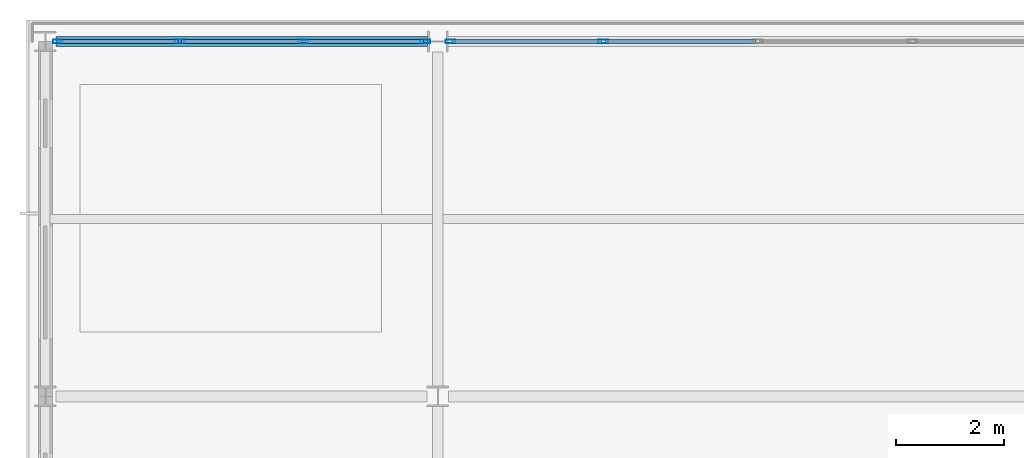
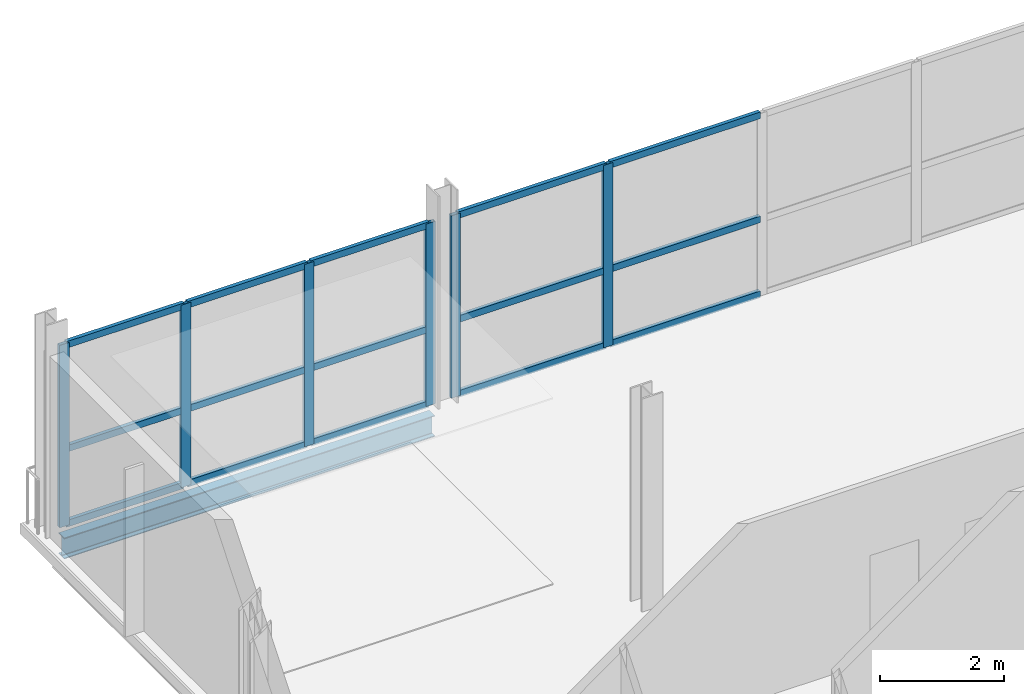
# One storey, part 24 of 65: 21 members, 1 beam, 2 elements without a shape of their own.
"""IFC4 building model written with IfcOpenShell, lengths in metres."""

from ifc_helpers import new_model, si_unit, direction, frame, origin, origin_2d, place, context, subcontext, project, spatial, hollow_rectangle, i_section, extrude, material, layer, layer_set, material_profile, profile_set, type_object, element, aggregate, save


model = new_model("IFC4")

# Units and contexts
model_context = context("Model", 3, precision=1e-05, world=origin(), true_north=direction((0.0, 1.0)))
body_context = subcontext(model_context, "Body", "Model", "MODEL_VIEW")
ifc_project = project(units=[si_unit("LENGTHUNIT", "METRE"), si_unit("AREAUNIT", "SQUARE_METRE"), si_unit("VOLUMEUNIT", "CUBIC_METRE"), si_unit("PLANEANGLEUNIT", "RADIAN"), si_unit("MASSUNIT", "GRAM", prefix="KILO")], contexts=[model_context])

# Site, building, storey
site_placement = place(None, origin())
site = spatial("IfcSite", under=ifc_project, at=site_placement, CompositionType="ELEMENT")
building_placement = place(site_placement, origin())
building = spatial("IfcBuilding", under=site, at=building_placement, Name="Quillay Park Conservatory", CompositionType="ELEMENT")
storey_placement = place(building_placement, frame((0.0, 0.0, 14.10009765625)))
storey = spatial("IfcBuildingStorey", under=building, at=storey_placement, Name="L03", CompositionType="ELEMENT", Elevation=14.10009765625)

# Curtain wall, members
ifc_material_1 = material(Name="Thermally Broken Anodised Aluminium 6063-T6", Category="aluminium")
ifc_layer = layer(ifc_material_1, 0.179931640625)
ifc_layer_set = layer_set([ifc_layer], Name="UNITISED CURTAIN WALL TOWER (Thermally Broken Anodised Aluminium 6063-T6)")
curtain_wall_type = type_object("IfcCurtainWallType", Name="UNITISED CURTAIN WALL TOWER", PredefinedType="USERDEFINED", material=ifc_layer_set)
curtain_wall_1_placement = place(storey_placement, origin())
curtain_wall_1 = element("IfcCurtainWall", 1, at=curtain_wall_1_placement, inside=storey, type_object=curtain_wall_type, Name="L03 Unitised Curtain Wall 035", ObjectType="UNITISED CURTAIN WALL", PredefinedType="USERDEFINED")
ifc_material_2 = material(Name="Thermally Broken Anodised Aluminium 6063-T6", Category="aluminium")
ifc_material_profile_1 = material_profile(ifc_material_2, hollow_rectangle(XDim=0.070068359375, YDim=0.179931640625, WallThickness=0.00390625, at=origin_2d()), Name="AL70x180x4")
ifc_profile_set_1 = profile_set([ifc_material_profile_1], Name="Thermally Broken Anodised Aluminium 6063-T6")
member_type_1 = type_object("IfcMemberType", Name="CURTAIN WALL MULLION 70 X180", PredefinedType="MULLION", material=ifc_profile_set_1)
member_1_placement = place(storey_placement, frame((0.784912109375, 113.39990234375, 0.0), z_axis=(0.0, 0.0, 1.0), x_axis=(0.0, 1.0, 0.0)))
member_1 = element("IfcMember", 2, at=member_1_placement, type_object=member_type_1, Name="CW-T1 mullion 1", PredefinedType="MULLION", context=body_context, shape_type="SweptSolid", body=[
    extrude(hollow_rectangle(XDim=0.070068359375, YDim=0.179931640625, WallThickness=0.00390625, at=origin_2d()), origin(), (0.0, 0.0, 1.0), 3.598876953125),
])
member_2_placement = place(storey_placement, frame((3.050048828125, 113.39990234375, 0.0), z_axis=(0.0, 0.0, 1.0), x_axis=(0.0, 1.0, 0.0)))
member_2 = element("IfcMember", 3, at=member_2_placement, type_object=member_type_1, Name="CW-T1 mullion 2", PredefinedType="MULLION", context=body_context, shape_type="SweptSolid", body=[
    extrude(hollow_rectangle(XDim=0.070068359375, YDim=0.179931640625, WallThickness=0.00390625, at=origin_2d()), origin(), (0.0, 0.0, 1.0), 3.598876953125),
])
member_3_placement = place(storey_placement, frame((5.35009765625, 113.39990234375, 0.0), z_axis=(0.0, 0.0, 1.0), x_axis=(0.0, 1.0, 0.0)))
member_3 = element("IfcMember", 4, at=member_3_placement, type_object=member_type_1, Name="CW-T1 mullion 3", PredefinedType="MULLION", context=body_context, shape_type="SweptSolid", body=[
    extrude(hollow_rectangle(XDim=0.070068359375, YDim=0.179931640625, WallThickness=0.00390625, at=origin_2d()), origin(), (0.0, 0.0, 1.0), 3.598876953125),
])
member_4_placement = place(storey_placement, frame((7.614990234375, 113.39990234375, 0.0), z_axis=(0.0, 0.0, 1.0), x_axis=(0.0, 1.0, 0.0)))
member_4 = element("IfcMember", 5, at=member_4_placement, type_object=member_type_1, Name="CW-T1 mullion 4", PredefinedType="MULLION", context=body_context, shape_type="SweptSolid", body=[
    extrude(hollow_rectangle(XDim=0.070068359375, YDim=0.179931640625, WallThickness=0.00390625, at=origin_2d()), origin(), (0.0, 0.0, 1.0), 3.598876953125),
])

curtain_wall_2_placement = place(storey_placement, origin())
curtain_wall_2 = element("IfcCurtainWall", 6, at=curtain_wall_2_placement, inside=storey, type_object=curtain_wall_type, Name="L03 Unitised Curtain Wall 036", ObjectType="UNITISED CURTAIN WALL", PredefinedType="USERDEFINED")
member_5_placement = place(storey_placement, frame((8.0849609375, 113.39990234375, 0.0), z_axis=(0.0, 0.0, 1.0), x_axis=(0.0, 1.0, 0.0)))
member_5 = element("IfcMember", 7, at=member_5_placement, type_object=member_type_1, Name="CW-T1 mullion 1", PredefinedType="MULLION", context=body_context, shape_type="SweptSolid", body=[
    extrude(hollow_rectangle(XDim=0.070068359375, YDim=0.179931640625, WallThickness=0.00390625, at=origin_2d()), origin(), (0.0, 0.0, 1.0), 3.598876953125),
])
member_6_placement = place(storey_placement, frame((10.925048828125, 113.39990234375, 0.0), z_axis=(0.0, 0.0, 1.0), x_axis=(0.0, 1.0, 0.0)))
member_6 = element("IfcMember", 8, at=member_6_placement, type_object=member_type_1, Name="CW-T1 mullion 2", PredefinedType="MULLION", context=body_context, shape_type="SweptSolid", body=[
    extrude(hollow_rectangle(XDim=0.070068359375, YDim=0.179931640625, WallThickness=0.00390625, at=origin_2d()), origin(), (0.0, 0.0, 1.0), 3.598876953125),
])

# Member
ifc_material_3 = material(Name="Thermally Broken Anodised Aluminium 6063-T6", Category="aluminium")
ifc_material_profile_2 = material_profile(ifc_material_3, hollow_rectangle(XDim=0.070068359375, YDim=0.1298828125, WallThickness=0.003173828125, at=origin_2d()), Name="AL70x130x3.2")
ifc_profile_set_2 = profile_set([ifc_material_profile_2], Name="Thermally Broken Anodised Aluminium 6063-T6")
member_type_2 = type_object("IfcMemberType", Name="CURTAIN WALL TRANSOM 70 X130", PredefinedType="USERDEFINED", material=ifc_profile_set_2)
member_7_placement = place(storey_placement, frame((0.820068359375, 113.39990234375, 0.034912109375), z_axis=(1.0, 0.0, 0.0), x_axis=(0.0, 1.0, 0.0)))
member_7 = element("IfcMember", 9, at=member_7_placement, type_object=member_type_2, Name="CW-T1 transom 1.1", ObjectType="TRANSOM", PredefinedType="USERDEFINED", context=body_context, shape_type="SweptSolid", body=[
    extrude(hollow_rectangle(XDim=0.070068359375, YDim=0.1298828125, WallThickness=0.003173828125, at=origin_2d()), origin(), (0.0, 0.0, 1.0), 2.19482421875),
])

member_8_placement = place(storey_placement, frame((0.820068359375, 113.39990234375, 1.511474609375), z_axis=(1.0, 0.0, 0.0), x_axis=(0.0, 1.0, 0.0)))
member_8 = element("IfcMember", 10, at=member_8_placement, type_object=member_type_2, Name="CW-T1 transom 1.2", ObjectType="TRANSOM", PredefinedType="USERDEFINED", context=body_context, shape_type="SweptSolid", body=[
    extrude(hollow_rectangle(XDim=0.070068359375, YDim=0.1298828125, WallThickness=0.003173828125, at=origin_2d()), origin(), (0.0, 0.0, 1.0), 2.19482421875),
])

member_9_placement = place(storey_placement, frame((0.820068359375, 113.39990234375, 3.56396484375), z_axis=(1.0, 0.0, 0.0), x_axis=(0.0, 1.0, 0.0)))
member_9 = element("IfcMember", 11, at=member_9_placement, type_object=member_type_2, Name="CW-T1 transom 1.3", ObjectType="TRANSOM", PredefinedType="USERDEFINED", context=body_context, shape_type="SweptSolid", body=[
    extrude(hollow_rectangle(XDim=0.070068359375, YDim=0.1298828125, WallThickness=0.003173828125, at=origin_2d()), origin(), (0.0, 0.0, 1.0), 2.19482421875),
])

member_10_placement = place(storey_placement, frame((3.0849609375, 113.39990234375, 0.034912109375), z_axis=(1.0, 0.0, 0.0), x_axis=(0.0, 1.0, 0.0)))
member_10 = element("IfcMember", 12, at=member_10_placement, type_object=member_type_2, Name="CW-T1 transom 2.1", ObjectType="TRANSOM", PredefinedType="USERDEFINED", context=body_context, shape_type="SweptSolid", body=[
    extrude(hollow_rectangle(XDim=0.070068359375, YDim=0.1298828125, WallThickness=0.003173828125, at=origin_2d()), origin(), (0.0, 0.0, 1.0), 2.22998046875),
])

member_11_placement = place(storey_placement, frame((3.0849609375, 113.39990234375, 1.511474609375), z_axis=(1.0, 0.0, 0.0), x_axis=(0.0, 1.0, 0.0)))
member_11 = element("IfcMember", 13, at=member_11_placement, type_object=member_type_2, Name="CW-T1 transom 2.2", ObjectType="TRANSOM", PredefinedType="USERDEFINED", context=body_context, shape_type="SweptSolid", body=[
    extrude(hollow_rectangle(XDim=0.070068359375, YDim=0.1298828125, WallThickness=0.003173828125, at=origin_2d()), origin(), (0.0, 0.0, 1.0), 2.22998046875),
])

member_12_placement = place(storey_placement, frame((3.0849609375, 113.39990234375, 3.56396484375), z_axis=(1.0, 0.0, 0.0), x_axis=(0.0, 1.0, 0.0)))
member_12 = element("IfcMember", 14, at=member_12_placement, type_object=member_type_2, Name="CW-T1 transom 2.3", ObjectType="TRANSOM", PredefinedType="USERDEFINED", context=body_context, shape_type="SweptSolid", body=[
    extrude(hollow_rectangle(XDim=0.070068359375, YDim=0.1298828125, WallThickness=0.003173828125, at=origin_2d()), origin(), (0.0, 0.0, 1.0), 2.22998046875),
])

member_13_placement = place(storey_placement, frame((5.385009765625, 113.39990234375, 0.034912109375), z_axis=(1.0, 0.0, 0.0), x_axis=(0.0, 1.0, 0.0)))
member_13 = element("IfcMember", 15, at=member_13_placement, type_object=member_type_2, Name="CW-T1 transom 3.1", ObjectType="TRANSOM", PredefinedType="USERDEFINED", context=body_context, shape_type="SweptSolid", body=[
    extrude(hollow_rectangle(XDim=0.070068359375, YDim=0.1298828125, WallThickness=0.003173828125, at=origin_2d()), origin(), (0.0, 0.0, 1.0), 2.195068359375),
])

member_14_placement = place(storey_placement, frame((5.385009765625, 113.39990234375, 1.511474609375), z_axis=(1.0, 0.0, 0.0), x_axis=(0.0, 1.0, 0.0)))
member_14 = element("IfcMember", 16, at=member_14_placement, type_object=member_type_2, Name="CW-T1 transom 3.2", ObjectType="TRANSOM", PredefinedType="USERDEFINED", context=body_context, shape_type="SweptSolid", body=[
    extrude(hollow_rectangle(XDim=0.070068359375, YDim=0.1298828125, WallThickness=0.003173828125, at=origin_2d()), origin(), (0.0, 0.0, 1.0), 2.195068359375),
])

member_15_placement = place(storey_placement, frame((5.385009765625, 113.39990234375, 3.56396484375), z_axis=(1.0, 0.0, 0.0), x_axis=(0.0, 1.0, 0.0)))
member_15 = element("IfcMember", 17, at=member_15_placement, type_object=member_type_2, Name="CW-T1 transom 3.3", ObjectType="TRANSOM", PredefinedType="USERDEFINED", context=body_context, shape_type="SweptSolid", body=[
    extrude(hollow_rectangle(XDim=0.070068359375, YDim=0.1298828125, WallThickness=0.003173828125, at=origin_2d()), origin(), (0.0, 0.0, 1.0), 2.195068359375),
])

aggregate(curtain_wall_1, [member_1, member_2, member_3, member_4, member_7, member_8, member_9, member_10, member_11, member_12, member_13, member_14, member_15])

member_16_placement = place(storey_placement, frame((8.1201171875, 113.39990234375, 0.034912109375), z_axis=(1.0, 0.0, 0.0), x_axis=(0.0, 1.0, 0.0)))
member_16 = element("IfcMember", 18, at=member_16_placement, type_object=member_type_2, Name="CW-T1 transom 1.1", ObjectType="TRANSOM", PredefinedType="USERDEFINED", context=body_context, shape_type="SweptSolid", body=[
    extrude(hollow_rectangle(XDim=0.070068359375, YDim=0.1298828125, WallThickness=0.003173828125, at=origin_2d()), origin(), (0.0, 0.0, 1.0), 2.769775390625),
])

member_17_placement = place(storey_placement, frame((8.1201171875, 113.39990234375, 1.511474609375), z_axis=(1.0, 0.0, 0.0), x_axis=(0.0, 1.0, 0.0)))
member_17 = element("IfcMember", 19, at=member_17_placement, type_object=member_type_2, Name="CW-T1 transom 1.2", ObjectType="TRANSOM", PredefinedType="USERDEFINED", context=body_context, shape_type="SweptSolid", body=[
    extrude(hollow_rectangle(XDim=0.070068359375, YDim=0.1298828125, WallThickness=0.003173828125, at=origin_2d()), origin(), (0.0, 0.0, 1.0), 2.769775390625),
])

member_18_placement = place(storey_placement, frame((8.1201171875, 113.39990234375, 3.56396484375), z_axis=(1.0, 0.0, 0.0), x_axis=(0.0, 1.0, 0.0)))
member_18 = element("IfcMember", 20, at=member_18_placement, type_object=member_type_2, Name="CW-T1 transom 1.3", ObjectType="TRANSOM", PredefinedType="USERDEFINED", context=body_context, shape_type="SweptSolid", body=[
    extrude(hollow_rectangle(XDim=0.070068359375, YDim=0.1298828125, WallThickness=0.003173828125, at=origin_2d()), origin(), (0.0, 0.0, 1.0), 2.769775390625),
])

member_19_placement = place(storey_placement, frame((10.9599609375, 113.39990234375, 0.034912109375), z_axis=(1.0, 0.0, 0.0), x_axis=(0.0, 1.0, 0.0)))
member_19 = element("IfcMember", 21, at=member_19_placement, type_object=member_type_2, Name="CW-T1 transom 2.1", ObjectType="TRANSOM", PredefinedType="USERDEFINED", context=body_context, shape_type="SweptSolid", body=[
    extrude(hollow_rectangle(XDim=0.070068359375, YDim=0.1298828125, WallThickness=0.003173828125, at=origin_2d()), origin(), (0.0, 0.0, 1.0), 2.804931640625),
])

member_20_placement = place(storey_placement, frame((10.9599609375, 113.39990234375, 1.511474609375), z_axis=(1.0, 0.0, 0.0), x_axis=(0.0, 1.0, 0.0)))
member_20 = element("IfcMember", 22, at=member_20_placement, type_object=member_type_2, Name="CW-T1 transom 2.2", ObjectType="TRANSOM", PredefinedType="USERDEFINED", context=body_context, shape_type="SweptSolid", body=[
    extrude(hollow_rectangle(XDim=0.070068359375, YDim=0.1298828125, WallThickness=0.003173828125, at=origin_2d()), origin(), (0.0, 0.0, 1.0), 2.804931640625),
])

member_21_placement = place(storey_placement, frame((10.9599609375, 113.39990234375, 3.56396484375), z_axis=(1.0, 0.0, 0.0), x_axis=(0.0, 1.0, 0.0)))
member_21 = element("IfcMember", 23, at=member_21_placement, type_object=member_type_2, Name="CW-T1 transom 2.3", ObjectType="TRANSOM", PredefinedType="USERDEFINED", context=body_context, shape_type="SweptSolid", body=[
    extrude(hollow_rectangle(XDim=0.070068359375, YDim=0.1298828125, WallThickness=0.003173828125, at=origin_2d()), origin(), (0.0, 0.0, 1.0), 2.804931640625),
])

aggregate(curtain_wall_2, [member_5, member_6, member_16, member_17, member_18, member_19, member_20, member_21])

# Beam
ifc_material_4 = material(Name="Steel ASTM A992 Grade 50", Category="steel")
ifc_material_profile_3 = material_profile(ifc_material_4, i_section(OverallWidth=0.179931640625, OverallDepth=0.4130859375, WebThickness=0.009765625, FlangeThickness=0.01611328125, FilletRadius=0.011962890625, at=origin_2d()), Name="W410x74")
ifc_profile_set_3 = profile_set([ifc_material_profile_3], Name="Steel ASTM A992 Grade 50")
beam_type = type_object("IfcBeamType", Name="PERIMETER SPANDREL BEAM W410 X74", PredefinedType="SPANDREL", material=ifc_profile_set_3)
beam_placement = place(storey_placement, frame((0.74755859375, 113.39990234375, -0.3916015625), z_axis=(1.0, 0.0, 0.0), x_axis=(0.0, 1.0, 0.0)))
element("IfcBeam", 24, at=beam_placement, inside=storey, type_object=beam_type, Name="L03 beam BM-SP-0263", PredefinedType="SPANDREL", context=body_context, shape_type="SweptSolid", body=[
    extrude(i_section(OverallWidth=0.179931640625, OverallDepth=0.4130859375, WebThickness=0.009765625, FlangeThickness=0.01611328125, FilletRadius=0.011962890625, at=origin_2d()), origin(), (0.0, 0.0, 1.0), 6.912353515625),
])

save(model, "model.ifc")
